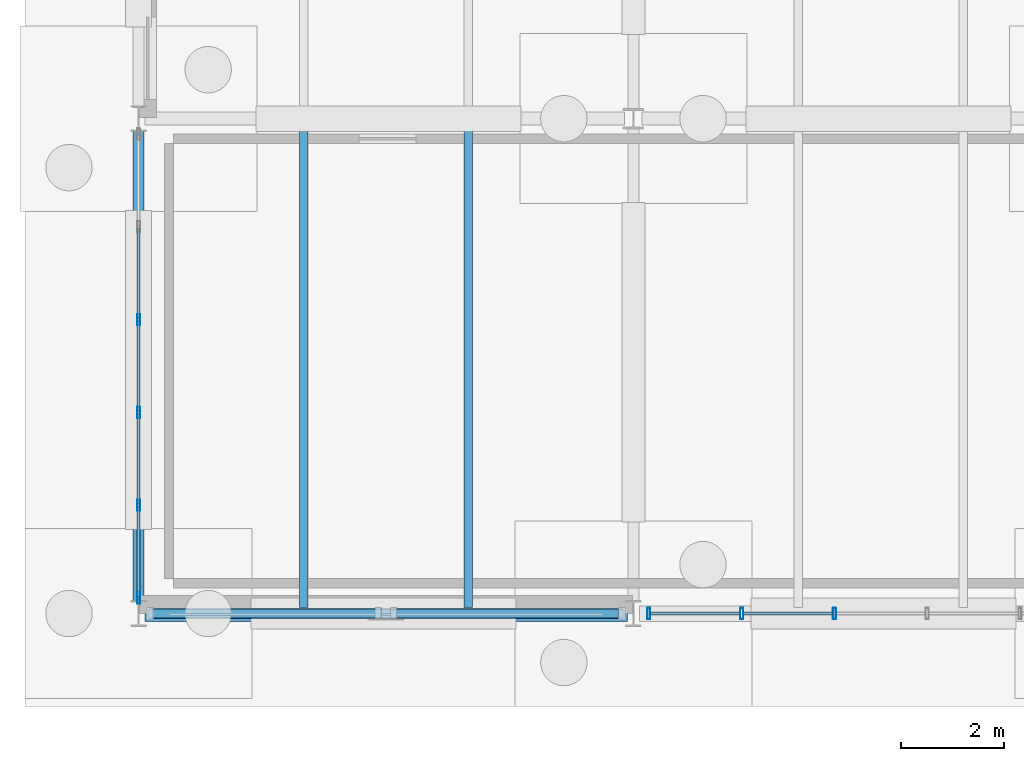
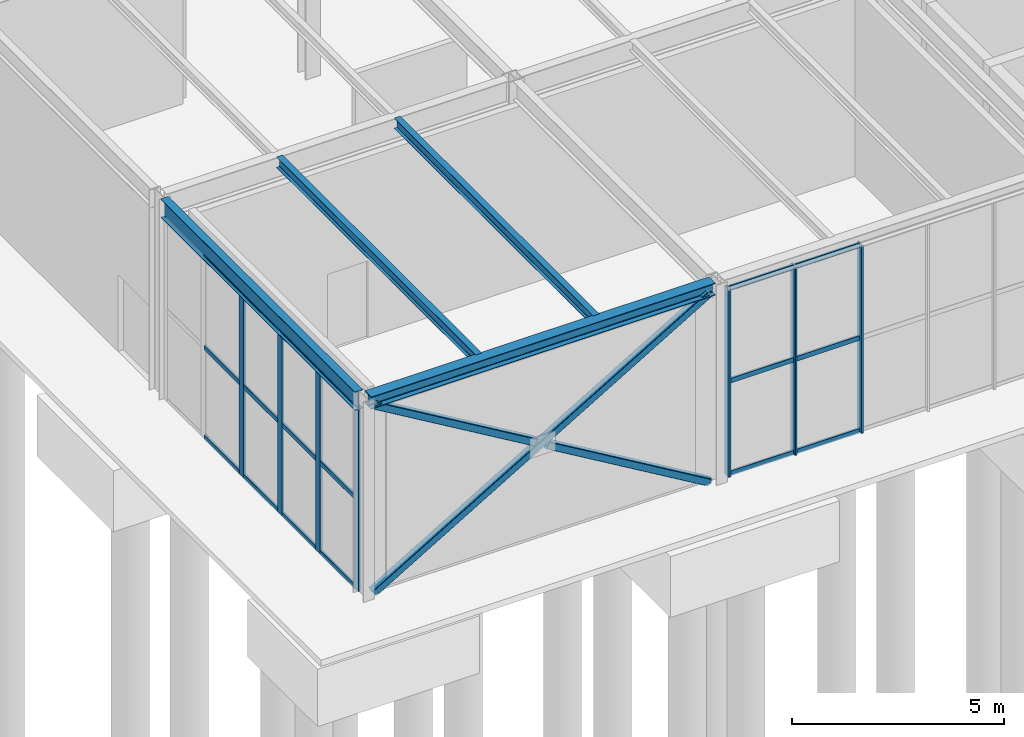
# One storey, part 31 of 142: 28 members, 4 beams, 2 elements without a shape of their own.
"""IFC4 building model written with IfcOpenShell, lengths in metres."""

from ifc_helpers import new_model, si_unit, direction, frame, origin, origin_2d, place, context, subcontext, project, spatial, hollow_rectangle, i_section, extrude, material, material_profile, profile_set, type_object, element, aggregate, save


model = new_model("IFC4")

# Units and contexts
model_context = context("Model", 3, precision=1e-05, world=origin(), true_north=direction((0.0, 1.0)))
body_context = subcontext(model_context, "Body", "Model", "MODEL_VIEW")
ifc_project = project(units=[si_unit("LENGTHUNIT", "METRE"), si_unit("AREAUNIT", "SQUARE_METRE"), si_unit("VOLUMEUNIT", "CUBIC_METRE"), si_unit("PLANEANGLEUNIT", "RADIAN"), si_unit("MASSUNIT", "GRAM", prefix="KILO")], contexts=[model_context])

# Site, building, storey
site_placement = place(None, origin())
site = spatial("IfcSite", under=ifc_project, at=site_placement, CompositionType="ELEMENT")
building_placement = place(site_placement, origin())
building = spatial("IfcBuilding", under=site, at=building_placement, Name="Coralgate Yard Interchange", CompositionType="ELEMENT")
storey_placement = place(building_placement, origin())
storey = spatial("IfcBuildingStorey", under=building, at=storey_placement, Name="L00", CompositionType="ELEMENT", Elevation=0.0)

# Beams
ifc_material_1 = material(Name="Structural steel S355J2", Category="steel")
ifc_material_profile_1 = material_profile(ifc_material_1, i_section(OverallWidth=0.209228515625, OverallDepth=0.533203125, WebThickness=0.010009765625, FlangeThickness=0.015625, FilletRadius=0.0126953125, at=origin_2d()), Name="UB 533x210x92")
ifc_profile_set_1 = profile_set([ifc_material_profile_1], Name="Structural steel S355J2")
beam_type_1 = type_object("IfcBeamType", Name="BM-SB-1", PredefinedType="BEAM", material=ifc_profile_set_1)
beam_1_placement = place(storey_placement, frame((0.0, 0.219970703125, 5.4833984375), z_axis=(0.0, 1.0, 0.0), x_axis=(-1.0, 0.0, 0.0)))
element("IfcBeam", 1, at=beam_1_placement, inside=storey, type_object=beam_type_1, Name="L00 primary grid girder X0 Y0-1", PredefinedType="BEAM", context=body_context, shape_type="SweptSolid", body=[
    extrude(i_section(OverallWidth=0.209228515625, OverallDepth=0.533203125, WebThickness=0.010009765625, FlangeThickness=0.015625, FilletRadius=0.0126953125, at=origin_2d()), origin(), (0.0, 0.0, 1.0), 9.159912109375),
])
ifc_material_profile_2 = material_profile(ifc_material_1, i_section(OverallWidth=0.1650390625, OverallDepth=0.303466796875, WebThickness=0.006103515625, FlangeThickness=0.01025390625, FilletRadius=0.0087890625, at=origin_2d()), Name="UB 305x165x40")
ifc_profile_set_2 = profile_set([ifc_material_profile_2], Name="Structural steel S355J2")
beam_type_2 = type_object("IfcBeamType", Name="BM-SJ-1", PredefinedType="JOIST", material=ifc_profile_set_2)
for number, where, z_axis, x_axis, name in (
    (2, (3.199951171875, 0.1201171875, 5.598388671875), (0.0, 1.0, 0.0), (-1.0, 0.0, 0.0), "L00 composite floor joist 0-0-1"),
    (3, (6.39990234375, 0.1201171875, 5.598388671875), (0.0, 1.0, 0.0), (-1.0, 0.0, 0.0), "L00 composite floor joist 0-0-2"),
):
    element("IfcBeam", number, at=place(storey_placement, frame(where, z_axis=z_axis, x_axis=x_axis)), inside=storey, type_object=beam_type_2, Name=name, PredefinedType="JOIST", context=body_context, shape_type="SweptSolid", body=[
        extrude(i_section(OverallWidth=0.1650390625, OverallDepth=0.303466796875, WebThickness=0.006103515625, FlangeThickness=0.01025390625, FilletRadius=0.0087890625, at=origin_2d()), origin(), (0.0, 0.0, 1.0), 9.383056640625),
    ])
ifc_material_profile_3 = material_profile(ifc_material_1, i_section(OverallWidth=0.300048828125, OverallDepth=0.35009765625, WebThickness=0.010009765625, FlangeThickness=0.017578125, FilletRadius=0.027099609375, at=origin_2d()), Name="HEA 360")
ifc_profile_set_3 = profile_set([ifc_material_profile_3], Name="Structural steel S355J2")
beam_type_3 = type_object("IfcBeamType", Name="BM-SP-1", PredefinedType="SPANDREL", material=ifc_profile_set_3)
beam_2_placement = place(storey_placement, frame((0.1201171875, 0.0, 5.574951171875), z_axis=(1.0, 0.0, 0.0), x_axis=(0.0, 1.0, 0.0)))
element("IfcBeam", 4, at=beam_2_placement, inside=storey, type_object=beam_type_3, Name="L00 primary grid beam Y0 X0-1", PredefinedType="SPANDREL", context=body_context, shape_type="SweptSolid", body=[
    extrude(i_section(OverallWidth=0.300048828125, OverallDepth=0.35009765625, WebThickness=0.010009765625, FlangeThickness=0.017578125, FilletRadius=0.027099609375, at=origin_2d()), origin(), (0.0, 0.0, 1.0), 9.35986328125),
])

# Members
ifc_material_profile_4 = material_profile(ifc_material_1, hollow_rectangle(XDim=0.199951171875, YDim=0.199951171875, WallThickness=0.010009765625, InnerFilletRadius=0.010009765625, OuterFilletRadius=0.02001953125, at=origin_2d()), Name="SHS 200x200x10")
ifc_profile_set_4 = profile_set([ifc_material_profile_4], Name="Structural steel S355J2")
member_type_1 = type_object("IfcMemberType", Name="MB-BR-5", PredefinedType="BRACE", material=ifc_profile_set_4)
member_1_placement = place(storey_placement, frame((0.239990234375, 0.0, 0.02001953125), z_axis=(0.860068181015, 0.0, 0.510179109731), x_axis=(0.0, 1.0, 0.0)))
element("IfcMember", 5, at=member_1_placement, inside=storey, type_object=member_type_1, Name="L00 continuous concentric X-brace S-A", PredefinedType="BRACE", context=body_context, shape_type="SweptSolid", body=[
    extrude(hollow_rectangle(XDim=0.199951171875, YDim=0.199951171875, WallThickness=0.010009765625, InnerFilletRadius=0.010009765625, OuterFilletRadius=0.02001953125, at=origin_2d()), origin(), (0.0, 0.0, 1.0), 10.60400390625),
])
member_2_placement = place(storey_placement, frame((9.360107421875, 0.0, 0.02001953125), z_axis=(-0.86004827154, 0.0, 0.510212671952), x_axis=(0.0, -1.0, 0.0)))
element("IfcMember", 6, at=member_2_placement, inside=storey, type_object=member_type_1, Name="L00 split concentric X-brace S-B1", PredefinedType="BRACE", context=body_context, shape_type="SweptSolid", body=[
    extrude(hollow_rectangle(XDim=0.199951171875, YDim=0.199951171875, WallThickness=0.010009765625, InnerFilletRadius=0.010009765625, OuterFilletRadius=0.02001953125, at=origin_2d()), origin(), (0.0, 0.0, 1.0), 5.12109375),
])
member_3_placement = place(storey_placement, frame((4.644287109375, 0.0, 2.8173828125), z_axis=(-0.860069191262, 0.0, 0.510177406635), x_axis=(0.0, -1.0, 0.0)))
element("IfcMember", 7, at=member_3_placement, inside=storey, type_object=member_type_1, Name="L00 split concentric X-brace S-B2", PredefinedType="BRACE", context=body_context, shape_type="SweptSolid", body=[
    extrude(hollow_rectangle(XDim=0.199951171875, YDim=0.199951171875, WallThickness=0.010009765625, InnerFilletRadius=0.010009765625, OuterFilletRadius=0.02001953125, at=origin_2d()), origin(), (0.0, 0.0, 1.0), 5.120849609375),
])

# Curtain wall, members
ifc_material_2 = material(Name="Anodised coastal aluminium and solar-control low-E glass", Category="aluminium")
curtain_wall_type_1 = type_object("IfcCurtainWallType", Name="CW-CW-L00-B", PredefinedType="NOTDEFINED", material=ifc_material_2)
curtain_wall_1_placement = place(storey_placement, origin())
curtain_wall_1 = element("IfcCurtainWall", 8, at=curtain_wall_1_placement, inside=storey, type_object=curtain_wall_type_1, Name="L00 unitised curtain wall CW-L00-W-00-00", PredefinedType="NOTDEFINED")
ifc_material_3 = material(Name="Anodised coastal aluminium 6063-T6", Category="aluminium")
ifc_material_profile_5 = material_profile(ifc_material_3, hollow_rectangle(XDim=0.06005859375, YDim=0.219970703125, WallThickness=0.00390625, InnerFilletRadius=0.00390625, OuterFilletRadius=0.008056640625, at=origin_2d()), Name="ALU 60x220x4")
ifc_profile_set_5 = profile_set([ifc_material_profile_5], Name="Anodised coastal aluminium 6063-T6")
member_type_2 = type_object("IfcMemberType", Name="MB-MUL-220", PredefinedType="MULLION", material=ifc_profile_set_5)
member_4_placement = place(storey_placement, frame((0.0, 0.300048828125, 0.0), z_axis=(0.0, 0.0, 1.0), x_axis=(1.0, 0.0, 0.0)))
member_4 = element("IfcMember", 9, at=member_4_placement, type_object=member_type_2, Name="CW-L00-W-00-00 vertical mullion 1", PredefinedType="MULLION", context=body_context, shape_type="SweptSolid", body=[
    extrude(hollow_rectangle(XDim=0.06005859375, YDim=0.219970703125, WallThickness=0.00390625, InnerFilletRadius=0.00390625, OuterFilletRadius=0.008056640625, at=origin_2d()), origin(), (0.0, 0.0, 1.0), 5.216796875),
])
member_5_placement = place(storey_placement, frame((0.0, 2.10009765625, 0.0), z_axis=(0.0, 0.0, 1.0), x_axis=(1.0, 0.0, 0.0)))
member_5 = element("IfcMember", 10, at=member_5_placement, type_object=member_type_2, Name="CW-L00-W-00-00 vertical mullion 2", PredefinedType="MULLION", context=body_context, shape_type="SweptSolid", body=[
    extrude(hollow_rectangle(XDim=0.06005859375, YDim=0.219970703125, WallThickness=0.00390625, InnerFilletRadius=0.00390625, OuterFilletRadius=0.008056640625, at=origin_2d()), origin(), (0.0, 0.0, 1.0), 5.216796875),
])
member_6_placement = place(storey_placement, frame((0.0, 3.89990234375, 0.0), z_axis=(0.0, 0.0, 1.0), x_axis=(1.0, 0.0, 0.0)))
member_6 = element("IfcMember", 11, at=member_6_placement, type_object=member_type_2, Name="CW-L00-W-00-00 vertical mullion 3", PredefinedType="MULLION", context=body_context, shape_type="SweptSolid", body=[
    extrude(hollow_rectangle(XDim=0.06005859375, YDim=0.219970703125, WallThickness=0.00390625, InnerFilletRadius=0.00390625, OuterFilletRadius=0.008056640625, at=origin_2d()), origin(), (0.0, 0.0, 1.0), 5.216796875),
])
member_7_placement = place(storey_placement, frame((0.0, 5.699951171875, 0.0), z_axis=(0.0, 0.0, 1.0), x_axis=(1.0, 0.0, 0.0)))
member_7 = element("IfcMember", 12, at=member_7_placement, type_object=member_type_2, Name="CW-L00-W-00-00 vertical mullion 4", PredefinedType="MULLION", context=body_context, shape_type="SweptSolid", body=[
    extrude(hollow_rectangle(XDim=0.06005859375, YDim=0.219970703125, WallThickness=0.00390625, InnerFilletRadius=0.00390625, OuterFilletRadius=0.008056640625, at=origin_2d()), origin(), (0.0, 0.0, 1.0), 5.216796875),
])

curtain_wall_type_2 = type_object("IfcCurtainWallType", Name="CW-CW-L00-A", PredefinedType="NOTDEFINED", material=ifc_material_2)
curtain_wall_2_placement = place(storey_placement, origin())
curtain_wall_2 = element("IfcCurtainWall", 13, at=curtain_wall_2_placement, inside=storey, type_object=curtain_wall_type_2, Name="L00 unitised curtain wall CW-L00-S-01-00", PredefinedType="NOTDEFINED")
member_8_placement = place(storey_placement, frame((13.5, 0.0, 0.0), z_axis=(0.0, 0.0, 1.0), x_axis=(1.0, 0.0, 0.0)))
member_8 = element("IfcMember", 14, at=member_8_placement, type_object=member_type_2, Name="CW-L00-S-01-00 vertical mullion 4", PredefinedType="MULLION", context=body_context, shape_type="SweptSolid", body=[
    extrude(hollow_rectangle(XDim=0.06005859375, YDim=0.219970703125, WallThickness=0.00390625, InnerFilletRadius=0.00390625, OuterFilletRadius=0.008056640625, at=origin_2d()), origin(), (0.0, 0.0, 1.0), 5.39990234375),
])
member_9_placement = place(storey_placement, frame((11.699951171875, 0.0, 0.0), z_axis=(0.0, 0.0, 1.0), x_axis=(1.0, 0.0, 0.0)))
member_9 = element("IfcMember", 15, at=member_9_placement, type_object=member_type_2, Name="CW-L00-S-01-00 vertical mullion 5", PredefinedType="MULLION", context=body_context, shape_type="SweptSolid", body=[
    extrude(hollow_rectangle(XDim=0.06005859375, YDim=0.219970703125, WallThickness=0.00390625, InnerFilletRadius=0.00390625, OuterFilletRadius=0.008056640625, at=origin_2d()), origin(), (0.0, 0.0, 1.0), 5.39990234375),
])
member_10_placement = place(storey_placement, frame((9.89990234375, 0.0, 0.0), z_axis=(0.0, 0.0, 1.0), x_axis=(1.0, 0.0, 0.0)))
member_10 = element("IfcMember", 16, at=member_10_placement, type_object=member_type_2, Name="CW-L00-S-01-00 vertical mullion 6", PredefinedType="MULLION", context=body_context, shape_type="SweptSolid", body=[
    extrude(hollow_rectangle(XDim=0.06005859375, YDim=0.219970703125, WallThickness=0.00390625, InnerFilletRadius=0.00390625, OuterFilletRadius=0.008056640625, at=origin_2d()), origin(), (0.0, 0.0, 1.0), 5.39990234375),
])

# Member
ifc_material_profile_6 = material_profile(ifc_material_3, hollow_rectangle(XDim=0.06005859375, YDim=0.139892578125, WallThickness=0.00341796875, InnerFilletRadius=0.00341796875, OuterFilletRadius=0.007080078125, at=origin_2d()), Name="ALU 60x140x3.5")
ifc_profile_set_6 = profile_set([ifc_material_profile_6], Name="Anodised coastal aluminium 6063-T6")
member_type_3 = type_object("IfcMemberType", Name="MB-TRN-140", PredefinedType="USERDEFINED", material=ifc_profile_set_6)
member_11_placement = place(storey_placement, frame((0.0, 0.330078125, 0.034912109375), z_axis=(0.0, 1.0, 0.0), x_axis=(-1.0, 0.0, 0.0)))
member_11 = element("IfcMember", 17, at=member_11_placement, type_object=member_type_3, Name="CW-L00-W-00-00 horizontal transom 1-1", ObjectType="TRANSOM", PredefinedType="USERDEFINED", context=body_context, shape_type="SweptSolid", body=[
    extrude(hollow_rectangle(XDim=0.06005859375, YDim=0.139892578125, WallThickness=0.00341796875, InnerFilletRadius=0.00341796875, OuterFilletRadius=0.007080078125, at=origin_2d()), origin(), (0.0, 0.0, 1.0), 1.739990234375),
])

member_12_placement = place(storey_placement, frame((0.0, 0.330078125, 2.6083984375), z_axis=(0.0, 1.0, 0.0), x_axis=(-1.0, 0.0, 0.0)))
member_12 = element("IfcMember", 18, at=member_12_placement, type_object=member_type_3, Name="CW-L00-W-00-00 horizontal transom 1-2", ObjectType="TRANSOM", PredefinedType="USERDEFINED", context=body_context, shape_type="SweptSolid", body=[
    extrude(hollow_rectangle(XDim=0.06005859375, YDim=0.139892578125, WallThickness=0.00341796875, InnerFilletRadius=0.00341796875, OuterFilletRadius=0.007080078125, at=origin_2d()), origin(), (0.0, 0.0, 1.0), 1.739990234375),
])

member_13_placement = place(storey_placement, frame((0.0, 0.330078125, 5.181884765625), z_axis=(0.0, 1.0, 0.0), x_axis=(-1.0, 0.0, 0.0)))
member_13 = element("IfcMember", 19, at=member_13_placement, type_object=member_type_3, Name="CW-L00-W-00-00 horizontal transom 1-3", ObjectType="TRANSOM", PredefinedType="USERDEFINED", context=body_context, shape_type="SweptSolid", body=[
    extrude(hollow_rectangle(XDim=0.06005859375, YDim=0.139892578125, WallThickness=0.00341796875, InnerFilletRadius=0.00341796875, OuterFilletRadius=0.007080078125, at=origin_2d()), origin(), (0.0, 0.0, 1.0), 1.739990234375),
])

member_14_placement = place(storey_placement, frame((0.0, 2.1298828125, 0.034912109375), z_axis=(0.0, 1.0, 0.0), x_axis=(-1.0, 0.0, 0.0)))
member_14 = element("IfcMember", 20, at=member_14_placement, type_object=member_type_3, Name="CW-L00-W-00-00 horizontal transom 2-1", ObjectType="TRANSOM", PredefinedType="USERDEFINED", context=body_context, shape_type="SweptSolid", body=[
    extrude(hollow_rectangle(XDim=0.06005859375, YDim=0.139892578125, WallThickness=0.00341796875, InnerFilletRadius=0.00341796875, OuterFilletRadius=0.007080078125, at=origin_2d()), origin(), (0.0, 0.0, 1.0), 1.740234375),
])

member_15_placement = place(storey_placement, frame((0.0, 2.1298828125, 2.6083984375), z_axis=(0.0, 1.0, 0.0), x_axis=(-1.0, 0.0, 0.0)))
member_15 = element("IfcMember", 21, at=member_15_placement, type_object=member_type_3, Name="CW-L00-W-00-00 horizontal transom 2-2", ObjectType="TRANSOM", PredefinedType="USERDEFINED", context=body_context, shape_type="SweptSolid", body=[
    extrude(hollow_rectangle(XDim=0.06005859375, YDim=0.139892578125, WallThickness=0.00341796875, InnerFilletRadius=0.00341796875, OuterFilletRadius=0.007080078125, at=origin_2d()), origin(), (0.0, 0.0, 1.0), 1.740234375),
])

member_16_placement = place(storey_placement, frame((0.0, 2.1298828125, 5.181884765625), z_axis=(0.0, 1.0, 0.0), x_axis=(-1.0, 0.0, 0.0)))
member_16 = element("IfcMember", 22, at=member_16_placement, type_object=member_type_3, Name="CW-L00-W-00-00 horizontal transom 2-3", ObjectType="TRANSOM", PredefinedType="USERDEFINED", context=body_context, shape_type="SweptSolid", body=[
    extrude(hollow_rectangle(XDim=0.06005859375, YDim=0.139892578125, WallThickness=0.00341796875, InnerFilletRadius=0.00341796875, OuterFilletRadius=0.007080078125, at=origin_2d()), origin(), (0.0, 0.0, 1.0), 1.740234375),
])

member_17_placement = place(storey_placement, frame((0.0, 3.929931640625, 0.034912109375), z_axis=(0.0, 1.0, 0.0), x_axis=(-1.0, 0.0, 0.0)))
member_17 = element("IfcMember", 23, at=member_17_placement, type_object=member_type_3, Name="CW-L00-W-00-00 horizontal transom 3-1", ObjectType="TRANSOM", PredefinedType="USERDEFINED", context=body_context, shape_type="SweptSolid", body=[
    extrude(hollow_rectangle(XDim=0.06005859375, YDim=0.139892578125, WallThickness=0.00341796875, InnerFilletRadius=0.00341796875, OuterFilletRadius=0.007080078125, at=origin_2d()), origin(), (0.0, 0.0, 1.0), 1.739990234375),
])

member_18_placement = place(storey_placement, frame((0.0, 3.929931640625, 2.6083984375), z_axis=(0.0, 1.0, 0.0), x_axis=(-1.0, 0.0, 0.0)))
member_18 = element("IfcMember", 24, at=member_18_placement, type_object=member_type_3, Name="CW-L00-W-00-00 horizontal transom 3-2", ObjectType="TRANSOM", PredefinedType="USERDEFINED", context=body_context, shape_type="SweptSolid", body=[
    extrude(hollow_rectangle(XDim=0.06005859375, YDim=0.139892578125, WallThickness=0.00341796875, InnerFilletRadius=0.00341796875, OuterFilletRadius=0.007080078125, at=origin_2d()), origin(), (0.0, 0.0, 1.0), 1.739990234375),
])

member_19_placement = place(storey_placement, frame((0.0, 3.929931640625, 5.181884765625), z_axis=(0.0, 1.0, 0.0), x_axis=(-1.0, 0.0, 0.0)))
member_19 = element("IfcMember", 25, at=member_19_placement, type_object=member_type_3, Name="CW-L00-W-00-00 horizontal transom 3-3", ObjectType="TRANSOM", PredefinedType="USERDEFINED", context=body_context, shape_type="SweptSolid", body=[
    extrude(hollow_rectangle(XDim=0.06005859375, YDim=0.139892578125, WallThickness=0.00341796875, InnerFilletRadius=0.00341796875, OuterFilletRadius=0.007080078125, at=origin_2d()), origin(), (0.0, 0.0, 1.0), 1.739990234375),
])

member_20_placement = place(storey_placement, frame((0.0, 5.72998046875, 0.034912109375), z_axis=(0.0, 1.0, 0.0), x_axis=(-1.0, 0.0, 0.0)))
member_20 = element("IfcMember", 26, at=member_20_placement, type_object=member_type_3, Name="CW-L00-W-00-00 horizontal transom 4-1", ObjectType="TRANSOM", PredefinedType="USERDEFINED", context=body_context, shape_type="SweptSolid", body=[
    extrude(hollow_rectangle(XDim=0.06005859375, YDim=0.139892578125, WallThickness=0.00341796875, InnerFilletRadius=0.00341796875, OuterFilletRadius=0.007080078125, at=origin_2d()), origin(), (0.0, 0.0, 1.0), 1.739990234375),
])

member_21_placement = place(storey_placement, frame((0.0, 5.72998046875, 2.6083984375), z_axis=(0.0, 1.0, 0.0), x_axis=(-1.0, 0.0, 0.0)))
member_21 = element("IfcMember", 27, at=member_21_placement, type_object=member_type_3, Name="CW-L00-W-00-00 horizontal transom 4-2", ObjectType="TRANSOM", PredefinedType="USERDEFINED", context=body_context, shape_type="SweptSolid", body=[
    extrude(hollow_rectangle(XDim=0.06005859375, YDim=0.139892578125, WallThickness=0.00341796875, InnerFilletRadius=0.00341796875, OuterFilletRadius=0.007080078125, at=origin_2d()), origin(), (0.0, 0.0, 1.0), 1.739990234375),
])

member_22_placement = place(storey_placement, frame((0.0, 5.72998046875, 5.181884765625), z_axis=(0.0, 1.0, 0.0), x_axis=(-1.0, 0.0, 0.0)))
member_22 = element("IfcMember", 28, at=member_22_placement, type_object=member_type_3, Name="CW-L00-W-00-00 horizontal transom 4-3", ObjectType="TRANSOM", PredefinedType="USERDEFINED", context=body_context, shape_type="SweptSolid", body=[
    extrude(hollow_rectangle(XDim=0.06005859375, YDim=0.139892578125, WallThickness=0.00341796875, InnerFilletRadius=0.00341796875, OuterFilletRadius=0.007080078125, at=origin_2d()), origin(), (0.0, 0.0, 1.0), 1.739990234375),
])

aggregate(curtain_wall_1, [member_4, member_5, member_6, member_7, member_11, member_12, member_13, member_14, member_15, member_16, member_17, member_18, member_19, member_20, member_21, member_22])

member_23_placement = place(storey_placement, frame((13.469970703125, 0.0, 0.034912109375), z_axis=(-1.0, 0.0, 0.0), x_axis=(0.0, -1.0, 0.0)))
member_23 = element("IfcMember", 29, at=member_23_placement, type_object=member_type_3, Name="CW-L00-S-01-00 horizontal transom 4-1", ObjectType="TRANSOM", PredefinedType="USERDEFINED", context=body_context, shape_type="SweptSolid", body=[
    extrude(hollow_rectangle(XDim=0.06005859375, YDim=0.139892578125, WallThickness=0.00341796875, InnerFilletRadius=0.00341796875, OuterFilletRadius=0.007080078125, at=origin_2d()), origin(), (0.0, 0.0, 1.0), 1.739990234375),
])

member_24_placement = place(storey_placement, frame((13.469970703125, 0.0, 2.699951171875), z_axis=(-1.0, 0.0, 0.0), x_axis=(0.0, -1.0, 0.0)))
member_24 = element("IfcMember", 30, at=member_24_placement, type_object=member_type_3, Name="CW-L00-S-01-00 horizontal transom 4-2", ObjectType="TRANSOM", PredefinedType="USERDEFINED", context=body_context, shape_type="SweptSolid", body=[
    extrude(hollow_rectangle(XDim=0.06005859375, YDim=0.139892578125, WallThickness=0.00341796875, InnerFilletRadius=0.00341796875, OuterFilletRadius=0.007080078125, at=origin_2d()), origin(), (0.0, 0.0, 1.0), 1.739990234375),
])

member_25_placement = place(storey_placement, frame((13.469970703125, 0.0, 5.364990234375), z_axis=(-1.0, 0.0, 0.0), x_axis=(0.0, -1.0, 0.0)))
member_25 = element("IfcMember", 31, at=member_25_placement, type_object=member_type_3, Name="CW-L00-S-01-00 horizontal transom 4-3", ObjectType="TRANSOM", PredefinedType="USERDEFINED", context=body_context, shape_type="SweptSolid", body=[
    extrude(hollow_rectangle(XDim=0.06005859375, YDim=0.139892578125, WallThickness=0.00341796875, InnerFilletRadius=0.00341796875, OuterFilletRadius=0.007080078125, at=origin_2d()), origin(), (0.0, 0.0, 1.0), 1.739990234375),
])

member_26_placement = place(storey_placement, frame((11.669921875, 0.0, 0.034912109375), z_axis=(-1.0, 0.0, 0.0), x_axis=(0.0, -1.0, 0.0)))
member_26 = element("IfcMember", 32, at=member_26_placement, type_object=member_type_3, Name="CW-L00-S-01-00 horizontal transom 5-1", ObjectType="TRANSOM", PredefinedType="USERDEFINED", context=body_context, shape_type="SweptSolid", body=[
    extrude(hollow_rectangle(XDim=0.06005859375, YDim=0.139892578125, WallThickness=0.00341796875, InnerFilletRadius=0.00341796875, OuterFilletRadius=0.007080078125, at=origin_2d()), origin(), (0.0, 0.0, 1.0), 1.739990234375),
])

member_27_placement = place(storey_placement, frame((11.669921875, 0.0, 2.699951171875), z_axis=(-1.0, 0.0, 0.0), x_axis=(0.0, -1.0, 0.0)))
member_27 = element("IfcMember", 33, at=member_27_placement, type_object=member_type_3, Name="CW-L00-S-01-00 horizontal transom 5-2", ObjectType="TRANSOM", PredefinedType="USERDEFINED", context=body_context, shape_type="SweptSolid", body=[
    extrude(hollow_rectangle(XDim=0.06005859375, YDim=0.139892578125, WallThickness=0.00341796875, InnerFilletRadius=0.00341796875, OuterFilletRadius=0.007080078125, at=origin_2d()), origin(), (0.0, 0.0, 1.0), 1.739990234375),
])

member_28_placement = place(storey_placement, frame((11.669921875, 0.0, 5.364990234375), z_axis=(-1.0, 0.0, 0.0), x_axis=(0.0, -1.0, 0.0)))
member_28 = element("IfcMember", 34, at=member_28_placement, type_object=member_type_3, Name="CW-L00-S-01-00 horizontal transom 5-3", ObjectType="TRANSOM", PredefinedType="USERDEFINED", context=body_context, shape_type="SweptSolid", body=[
    extrude(hollow_rectangle(XDim=0.06005859375, YDim=0.139892578125, WallThickness=0.00341796875, InnerFilletRadius=0.00341796875, OuterFilletRadius=0.007080078125, at=origin_2d()), origin(), (0.0, 0.0, 1.0), 1.739990234375),
])

aggregate(curtain_wall_2, [member_8, member_9, member_10, member_23, member_24, member_25, member_26, member_27, member_28])

save(model, "model.ifc")
